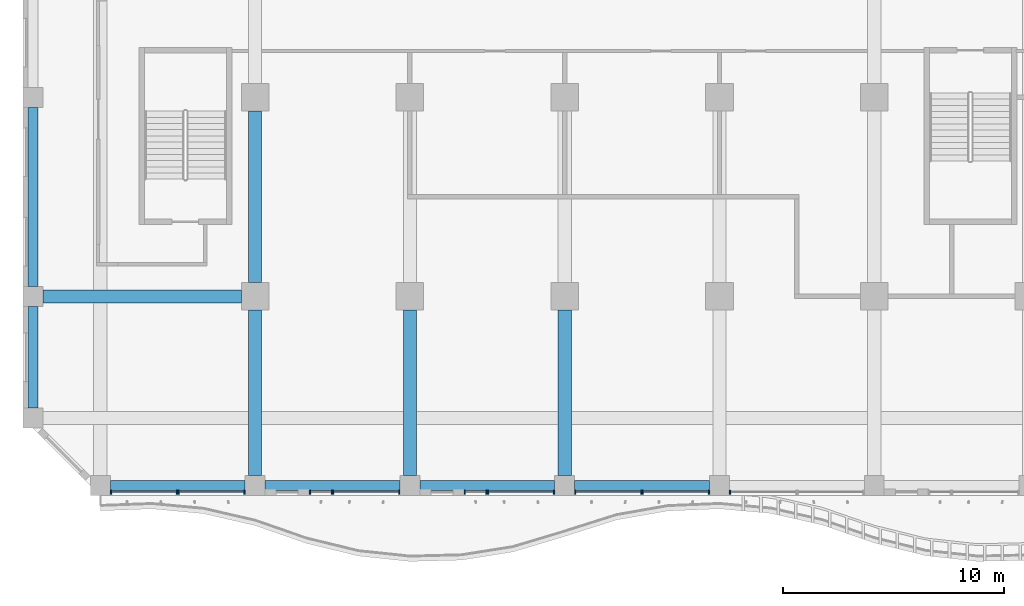
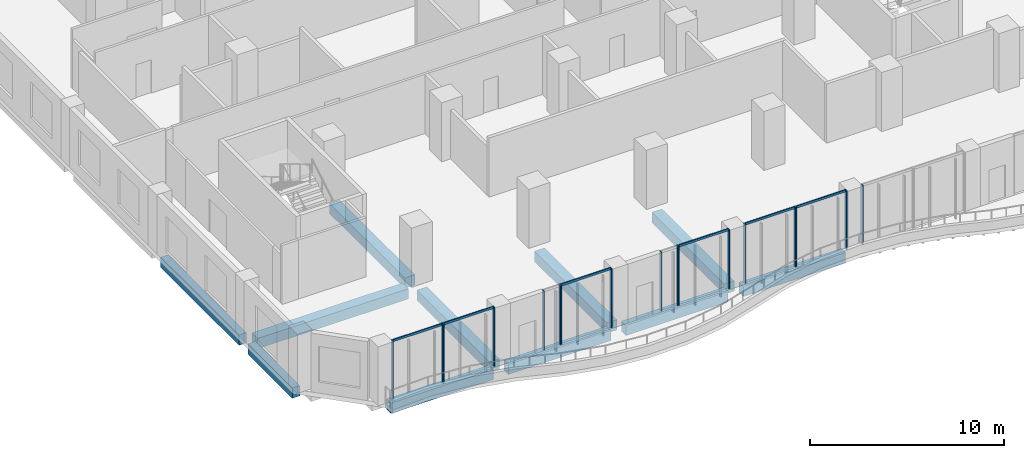
# One storey, part 2 of 25: 23 members, 11 beams, 9 elements without a shape of their own.
"""IFC4 building model written with IfcOpenShell, lengths in metres."""

from ifc_helpers import new_model, si_unit, direction, frame, origin, origin_2d, place, context, subcontext, project, spatial, rectangle, extrude, source, transform, mapped, material, material_profile, profile_set, type_object, element, aggregate, save


model = new_model("IFC4")

# Units and contexts
model_context = context("Model", 3, precision=1e-05, world=origin(), true_north=direction((0.0, 1.0)))
body_context = subcontext(model_context, "Body", "Model", "MODEL_VIEW")
ifc_project = project(units=[si_unit("LENGTHUNIT", "METRE"), si_unit("AREAUNIT", "SQUARE_METRE"), si_unit("VOLUMEUNIT", "CUBIC_METRE"), si_unit("PLANEANGLEUNIT", "RADIAN"), si_unit("MASSUNIT", "GRAM", prefix="KILO")], contexts=[model_context])

# Site, building, storey
site_placement = place(None, origin())
site = spatial("IfcSite", under=ifc_project, at=site_placement, CompositionType="ELEMENT")
building_placement = place(site_placement, origin())
building = spatial("IfcBuilding", under=site, at=building_placement, Name="Kilnfold Tower and Market Hall", CompositionType="ELEMENT")
storey_placement = place(building_placement, frame((0.0, 0.0, 67.199951171875)))
storey = spatial("IfcBuildingStorey", under=building, at=storey_placement, Name="L15", CompositionType="ELEMENT", Elevation=67.199951171875)

# Beams
ifc_material_1 = material(Name="Concrete C45", Category="concrete")
ifc_material_profile_1 = material_profile(ifc_material_1, rectangle(XDim=0.449951171875, YDim=0.64990234375, at=origin_2d()), Name="RC 450x650")
ifc_profile_set_1 = profile_set([ifc_material_profile_1], Name="Concrete C45")
beam_type_1 = type_object("IfcBeamType", Name="EDGE BEAM 450X650 C45", PredefinedType="BEAM", material=ifc_profile_set_1)
shared_shape_1 = source(origin(), body_context, "Body", "SweptSolid", [
    extrude(rectangle(XDim=0.449951171875, YDim=0.64990234375, at=origin_2d()), origin(), (0.0, 0.0, 1.0), 6.10009765625),
])
for number, where, z_axis, x_axis, name in (
    (1, (-19.050048828125, -27.550048828125, -0.60498046875), (1.0, 0.0, 0.0), (0.0, 1.0, 0.0), "Beam EB650-B2.60"),
    (2, (-12.050048828125, -27.550048828125, -0.60498046875), (1.0, 0.0, 0.0), (0.0, 1.0, 0.0), "Beam EB650-B2.61"),
    (3, (-5.050048828125, -27.550048828125, -0.60498046875), (1.0, 0.0, 0.0), (0.0, 1.0, 0.0), "Beam EB650-B2.62"),
    (4, (1.949951171875, -27.550048828125, -0.60498046875), (1.0, 0.0, 0.0), (0.0, 1.0, 0.0), "Beam EB650-B2.63"),
):
    element("IfcBeam", number, at=place(storey_placement, frame(where, z_axis=z_axis, x_axis=x_axis)), inside=storey, type_object=beam_type_1, Name=name, PredefinedType="BEAM", context=body_context, shape_type="MappedRepresentation", body=[
        mapped(shared_shape_1, transform((0.0, 0.0, 0.0))),
    ])
shared_shape_2 = source(origin(), body_context, "Body", "SweptSolid", [
    extrude(rectangle(XDim=0.449951171875, YDim=0.64990234375, at=origin_2d()), origin(), (0.0, 0.0, 1.0), 4.60009765625),
])
beam_1_placement = place(storey_placement, frame((-22.550048828125, -24.050048828125, -0.60498046875), z_axis=(0.0, 1.0, 0.0), x_axis=(-1.0, 0.0, 0.0)))
element("IfcBeam", 5, at=beam_1_placement, inside=storey, type_object=beam_type_1, Name="Beam EB650-B2.37", PredefinedType="BEAM", context=body_context, shape_type="MappedRepresentation", body=[
    mapped(shared_shape_2, transform((0.0, 0.0, 0.0))),
])
shared_shape_3 = source(origin(), body_context, "Body", "SweptSolid", [
    extrude(rectangle(XDim=0.449951171875, YDim=0.64990234375, at=origin_2d()), origin(), (0.0, 0.0, 1.0), 8.10009765625),
])
beam_2_placement = place(storey_placement, frame((-22.550048828125, -18.550048828125, -0.60498046875), z_axis=(0.0, 1.0, 0.0), x_axis=(-1.0, 0.0, 0.0)))
element("IfcBeam", 6, at=beam_2_placement, inside=storey, type_object=beam_type_1, Name="Beam EB650-B2.38", PredefinedType="BEAM", context=body_context, shape_type="MappedRepresentation", body=[
    mapped(shared_shape_3, transform((0.0, 0.0, 0.0))),
])
ifc_material_2 = material(Name="Concrete C45", Category="concrete")
ifc_material_profile_2 = material_profile(ifc_material_2, rectangle(XDim=0.60009765625, YDim=0.64990234375, at=origin_2d()), Name="RC 600x650")
ifc_profile_set_2 = profile_set([ifc_material_profile_2], Name="Concrete C45")
beam_type_2 = type_object("IfcBeamType", Name="BEAM 600X650 C45", PredefinedType="BEAM", material=ifc_profile_set_2)
shared_shape_4 = source(origin(), body_context, "Body", "SweptSolid", [
    extrude(rectangle(XDim=0.60009765625, YDim=0.64990234375, at=origin_2d()), origin(), (0.0, 0.0, 1.0), 8.97509765625),
])
beam_3_placement = place(storey_placement, frame((-22.10009765625, -19.0, -0.60498046875), z_axis=(1.0, 0.0, 0.0), x_axis=(0.0, 1.0, 0.0)))
element("IfcBeam", 7, at=beam_3_placement, inside=storey, type_object=beam_type_2, Name="Beam BB650-B2.68", PredefinedType="BEAM", context=body_context, shape_type="MappedRepresentation", body=[
    mapped(shared_shape_4, transform((0.0, 0.0, 0.0))),
])
shared_shape_5 = source(origin(), body_context, "Body", "SweptSolid", [
    extrude(rectangle(XDim=0.60009765625, YDim=0.64990234375, at=origin_2d()), origin(), (0.0, 0.0, 1.0), 7.47509765625),
])
for number, where, z_axis, x_axis, name in (
    (8, (-12.5, -27.10009765625, -0.60498046875), (0.0, 1.0, 0.0), (-1.0, 0.0, 0.0), "Beam BB650-B2.82"),
    (9, (-5.5, -27.10009765625, -0.60498046875), (0.0, 1.0, 0.0), (-1.0, 0.0, 0.0), "Beam BB650-B2.85"),
    (10, (1.5, -27.10009765625, -0.60498046875), (0.0, 1.0, 0.0), (-1.0, 0.0, 0.0), "Beam BB650-B2.87"),
):
    element("IfcBeam", number, at=place(storey_placement, frame(where, z_axis=z_axis, x_axis=x_axis)), inside=storey, type_object=beam_type_2, Name=name, PredefinedType="BEAM", context=body_context, shape_type="MappedRepresentation", body=[
        mapped(shared_shape_5, transform((0.0, 0.0, 0.0))),
    ])
shared_shape_6 = source(origin(), body_context, "Body", "SweptSolid", [
    extrude(rectangle(XDim=0.60009765625, YDim=0.64990234375, at=origin_2d()), origin(), (0.0, 0.0, 1.0), 7.75),
])
beam_4_placement = place(storey_placement, frame((-12.5, -18.375, -0.60498046875), z_axis=(0.0, 1.0, 0.0), x_axis=(-1.0, 0.0, 0.0)))
element("IfcBeam", 11, at=beam_4_placement, inside=storey, type_object=beam_type_2, Name="Beam BB650-B2.83", PredefinedType="BEAM", context=body_context, shape_type="MappedRepresentation", body=[
    mapped(shared_shape_6, transform((0.0, 0.0, 0.0))),
])

# Curtain wall, members
ifc_material_3 = material(Name="Aluminium and double glazing", Category="aluminium")
curtain_wall_type = type_object("IfcCurtainWallType", Name="CW OF1 VALLEY GLAZING", PredefinedType="NOTDEFINED", material=ifc_material_3)
curtain_wall_1_placement = place(storey_placement, origin())
curtain_wall_1 = element("IfcCurtainWall", 12, at=curtain_wall_1_placement, inside=storey, type_object=curtain_wall_type, Name="Curtain wall CW1 L15 S", PredefinedType="NOTDEFINED")
ifc_material_4 = material(Name="Aluminium", Category="aluminium")
ifc_material_profile_3 = material_profile(ifc_material_4, rectangle(XDim=0.06005859375, YDim=0.179931640625, at=origin_2d()), Name="MULLION 60x180")
ifc_profile_set_3 = profile_set([ifc_material_profile_3], Name="Aluminium")
member_type_1 = type_object("IfcMemberType", Name="MULLION 60X180", PredefinedType="MULLION", material=ifc_profile_set_3)
shared_shape_7 = source(origin(), body_context, "Body", "SweptSolid", [
    extrude(rectangle(XDim=0.06005859375, YDim=0.179931640625, at=origin_2d()), origin(), (0.0, 0.0, 1.0), 3.719970703125),
])
member_1_placement = place(storey_placement, frame((-19.02001953125, -27.85009765625, 0.0), z_axis=(0.0, 0.0, 1.0), x_axis=(1.0, 0.0, 0.0)))
member_1 = element("IfcMember", 13, at=member_1_placement, type_object=member_type_1, Name="CW1 mullion 1", PredefinedType="MULLION", context=body_context, shape_type="MappedRepresentation", body=[
    mapped(shared_shape_7, transform((0.0, 0.0, 0.0))),
])
member_2_placement = place(storey_placement, frame((-16.030029296875, -27.85009765625, 0.0), z_axis=(0.0, 0.0, 1.0), x_axis=(1.0, 0.0, 0.0)))
member_2 = element("IfcMember", 14, at=member_2_placement, type_object=member_type_1, Name="CW1 mullion 2", PredefinedType="MULLION", context=body_context, shape_type="MappedRepresentation", body=[
    mapped(shared_shape_7, transform((0.0, 0.0, 0.0))),
])

curtain_wall_2_placement = place(storey_placement, origin())
curtain_wall_2 = element("IfcCurtainWall", 15, at=curtain_wall_2_placement, inside=storey, type_object=curtain_wall_type, Name="Curtain wall CW1 L15 S", PredefinedType="NOTDEFINED")
member_3_placement = place(storey_placement, frame((-15.969970703125, -27.85009765625, 0.0), z_axis=(0.0, 0.0, 1.0), x_axis=(1.0, 0.0, 0.0)))
member_3 = element("IfcMember", 16, at=member_3_placement, type_object=member_type_1, Name="CW1 mullion 1", PredefinedType="MULLION", context=body_context, shape_type="MappedRepresentation", body=[
    mapped(shared_shape_7, transform((0.0, 0.0, 0.0))),
])
member_4_placement = place(storey_placement, frame((-12.97998046875, -27.85009765625, 0.0), z_axis=(0.0, 0.0, 1.0), x_axis=(1.0, 0.0, 0.0)))
member_4 = element("IfcMember", 17, at=member_4_placement, type_object=member_type_1, Name="CW1 mullion 2", PredefinedType="MULLION", context=body_context, shape_type="MappedRepresentation", body=[
    mapped(shared_shape_7, transform((0.0, 0.0, 0.0))),
])

curtain_wall_3_placement = place(storey_placement, origin())
curtain_wall_3 = element("IfcCurtainWall", 18, at=curtain_wall_3_placement, inside=storey, type_object=curtain_wall_type, Name="Curtain wall CW1 L15 S", PredefinedType="NOTDEFINED")
member_5_placement = place(storey_placement, frame((-10.02001953125, -27.85009765625, 0.0), z_axis=(0.0, 0.0, 1.0), x_axis=(1.0, 0.0, 0.0)))
member_5 = element("IfcMember", 19, at=member_5_placement, type_object=member_type_1, Name="CW1 mullion 1", PredefinedType="MULLION", context=body_context, shape_type="MappedRepresentation", body=[
    mapped(shared_shape_7, transform((0.0, 0.0, 0.0))),
])
member_6_placement = place(storey_placement, frame((-9.030029296875, -27.85009765625, 0.0), z_axis=(0.0, 0.0, 1.0), x_axis=(1.0, 0.0, 0.0)))
member_6 = element("IfcMember", 20, at=member_6_placement, type_object=member_type_1, Name="CW1 mullion 2", PredefinedType="MULLION", context=body_context, shape_type="MappedRepresentation", body=[
    mapped(shared_shape_7, transform((0.0, 0.0, 0.0))),
])
aggregate(curtain_wall_3, [member_5, member_6])

curtain_wall_4_placement = place(storey_placement, origin())
curtain_wall_4 = element("IfcCurtainWall", 21, at=curtain_wall_4_placement, inside=storey, type_object=curtain_wall_type, Name="Curtain wall CW1 L15 S", PredefinedType="NOTDEFINED")
member_7_placement = place(storey_placement, frame((-8.969970703125, -27.85009765625, 0.0), z_axis=(0.0, 0.0, 1.0), x_axis=(1.0, 0.0, 0.0)))
member_7 = element("IfcMember", 22, at=member_7_placement, type_object=member_type_1, Name="CW1 mullion 1", PredefinedType="MULLION", context=body_context, shape_type="MappedRepresentation", body=[
    mapped(shared_shape_7, transform((0.0, 0.0, 0.0))),
])
member_8_placement = place(storey_placement, frame((-5.97998046875, -27.85009765625, 0.0), z_axis=(0.0, 0.0, 1.0), x_axis=(1.0, 0.0, 0.0)))
member_8 = element("IfcMember", 23, at=member_8_placement, type_object=member_type_1, Name="CW1 mullion 2", PredefinedType="MULLION", context=body_context, shape_type="MappedRepresentation", body=[
    mapped(shared_shape_7, transform((0.0, 0.0, 0.0))),
])

curtain_wall_5_placement = place(storey_placement, origin())
curtain_wall_5 = element("IfcCurtainWall", 24, at=curtain_wall_5_placement, inside=storey, type_object=curtain_wall_type, Name="Curtain wall CW1 L15 S", PredefinedType="NOTDEFINED")
member_9_placement = place(storey_placement, frame((-3.02001953125, -27.85009765625, 0.0), z_axis=(0.0, 0.0, 1.0), x_axis=(1.0, 0.0, 0.0)))
member_9 = element("IfcMember", 25, at=member_9_placement, type_object=member_type_1, Name="CW1 mullion 1", PredefinedType="MULLION", context=body_context, shape_type="MappedRepresentation", body=[
    mapped(shared_shape_7, transform((0.0, 0.0, 0.0))),
])
member_10_placement = place(storey_placement, frame((-2.030029296875, -27.85009765625, 0.0), z_axis=(0.0, 0.0, 1.0), x_axis=(1.0, 0.0, 0.0)))
member_10 = element("IfcMember", 26, at=member_10_placement, type_object=member_type_1, Name="CW1 mullion 2", PredefinedType="MULLION", context=body_context, shape_type="MappedRepresentation", body=[
    mapped(shared_shape_7, transform((0.0, 0.0, 0.0))),
])
aggregate(curtain_wall_5, [member_9, member_10])

curtain_wall_6_placement = place(storey_placement, origin())
curtain_wall_6 = element("IfcCurtainWall", 27, at=curtain_wall_6_placement, inside=storey, type_object=curtain_wall_type, Name="Curtain wall CW1 L15 S", PredefinedType="NOTDEFINED")
member_11_placement = place(storey_placement, frame((-1.969970703125, -27.85009765625, 0.0), z_axis=(0.0, 0.0, 1.0), x_axis=(1.0, 0.0, 0.0)))
member_11 = element("IfcMember", 28, at=member_11_placement, type_object=member_type_1, Name="CW1 mullion 1", PredefinedType="MULLION", context=body_context, shape_type="MappedRepresentation", body=[
    mapped(shared_shape_7, transform((0.0, 0.0, 0.0))),
])
member_12_placement = place(storey_placement, frame((1.02001953125, -27.85009765625, 0.0), z_axis=(0.0, 0.0, 1.0), x_axis=(1.0, 0.0, 0.0)))
member_12 = element("IfcMember", 29, at=member_12_placement, type_object=member_type_1, Name="CW1 mullion 2", PredefinedType="MULLION", context=body_context, shape_type="MappedRepresentation", body=[
    mapped(shared_shape_7, transform((0.0, 0.0, 0.0))),
])

curtain_wall_7_placement = place(storey_placement, origin())
curtain_wall_7 = element("IfcCurtainWall", 30, at=curtain_wall_7_placement, inside=storey, type_object=curtain_wall_type, Name="Curtain wall CW1 L15 S", PredefinedType="NOTDEFINED")
member_13_placement = place(storey_placement, frame((1.97998046875, -27.85009765625, 0.0), z_axis=(0.0, 0.0, 1.0), x_axis=(1.0, 0.0, 0.0)))
member_13 = element("IfcMember", 31, at=member_13_placement, type_object=member_type_1, Name="CW1 mullion 1", PredefinedType="MULLION", context=body_context, shape_type="MappedRepresentation", body=[
    mapped(shared_shape_7, transform((0.0, 0.0, 0.0))),
])
member_14_placement = place(storey_placement, frame((4.969970703125, -27.85009765625, 0.0), z_axis=(0.0, 0.0, 1.0), x_axis=(1.0, 0.0, 0.0)))
member_14 = element("IfcMember", 32, at=member_14_placement, type_object=member_type_1, Name="CW1 mullion 2", PredefinedType="MULLION", context=body_context, shape_type="MappedRepresentation", body=[
    mapped(shared_shape_7, transform((0.0, 0.0, 0.0))),
])

curtain_wall_8_placement = place(storey_placement, origin())
curtain_wall_8 = element("IfcCurtainWall", 33, at=curtain_wall_8_placement, inside=storey, type_object=curtain_wall_type, Name="Curtain wall CW1 L15 S", PredefinedType="NOTDEFINED")
member_15_placement = place(storey_placement, frame((5.030029296875, -27.85009765625, 0.0), z_axis=(0.0, 0.0, 1.0), x_axis=(1.0, 0.0, 0.0)))
member_15 = element("IfcMember", 34, at=member_15_placement, type_object=member_type_1, Name="CW1 mullion 1", PredefinedType="MULLION", context=body_context, shape_type="MappedRepresentation", body=[
    mapped(shared_shape_7, transform((0.0, 0.0, 0.0))),
])
member_16_placement = place(storey_placement, frame((8.02001953125, -27.85009765625, 0.0), z_axis=(0.0, 0.0, 1.0), x_axis=(1.0, 0.0, 0.0)))
member_16 = element("IfcMember", 35, at=member_16_placement, type_object=member_type_1, Name="CW1 mullion 2", PredefinedType="MULLION", context=body_context, shape_type="MappedRepresentation", body=[
    mapped(shared_shape_7, transform((0.0, 0.0, 0.0))),
])

# Curtain wall, member
curtain_wall_9_placement = place(storey_placement, origin())
curtain_wall_9 = element("IfcCurtainWall", 36, at=curtain_wall_9_placement, inside=storey, type_object=curtain_wall_type, Name="Curtain wall CW1 L15 S", PredefinedType="NOTDEFINED")
member_17_placement = place(storey_placement, frame((8.97998046875, -27.85009765625, 0.0), z_axis=(0.0, 0.0, 1.0), x_axis=(1.0, 0.0, 0.0)))
member_17 = element("IfcMember", 37, at=member_17_placement, type_object=member_type_1, Name="CW1 mullion 1", PredefinedType="MULLION", context=body_context, shape_type="MappedRepresentation", body=[
    mapped(shared_shape_7, transform((0.0, 0.0, 0.0))),
])
aggregate(curtain_wall_9, [member_17])

# Member
ifc_material_5 = material(Name="Aluminium", Category="aluminium")
ifc_material_profile_4 = material_profile(ifc_material_5, rectangle(XDim=0.06005859375, YDim=0.139892578125, at=origin_2d()), Name="TRANSOM 60x140")
ifc_profile_set_4 = profile_set([ifc_material_profile_4], Name="Aluminium")
member_type_2 = type_object("IfcMemberType", Name="TRANSOM 60X140", PredefinedType="USERDEFINED", material=ifc_profile_set_4)
shared_shape_8 = source(origin(), body_context, "Body", "SweptSolid", [
    extrude(rectangle(XDim=0.06005859375, YDim=0.139892578125, at=origin_2d()), origin(), (0.0, 0.0, 1.0), 2.929931640625),
])
member_18_placement = place(storey_placement, frame((-18.989990234375, -27.85009765625, 3.68994140625), z_axis=(1.0, 0.0, 0.0), x_axis=(0.0, 1.0, 0.0)))
member_18 = element("IfcMember", 38, at=member_18_placement, type_object=member_type_2, Name="CW1 transom 1.2", ObjectType="TRANSOM", PredefinedType="USERDEFINED", context=body_context, shape_type="MappedRepresentation", body=[
    mapped(shared_shape_8, transform((0.0, 0.0, 0.0))),
])

aggregate(curtain_wall_1, [member_1, member_2, member_18])

member_19_placement = place(storey_placement, frame((-15.93994140625, -27.85009765625, 3.68994140625), z_axis=(1.0, 0.0, 0.0), x_axis=(0.0, 1.0, 0.0)))
member_19 = element("IfcMember", 39, at=member_19_placement, type_object=member_type_2, Name="CW1 transom 1.2", ObjectType="TRANSOM", PredefinedType="USERDEFINED", context=body_context, shape_type="MappedRepresentation", body=[
    mapped(shared_shape_8, transform((0.0, 0.0, 0.0))),
])

aggregate(curtain_wall_2, [member_3, member_4, member_19])

member_20_placement = place(storey_placement, frame((-8.93994140625, -27.85009765625, 3.68994140625), z_axis=(1.0, 0.0, 0.0), x_axis=(0.0, 1.0, 0.0)))
member_20 = element("IfcMember", 40, at=member_20_placement, type_object=member_type_2, Name="CW1 transom 1.2", ObjectType="TRANSOM", PredefinedType="USERDEFINED", context=body_context, shape_type="MappedRepresentation", body=[
    mapped(shared_shape_8, transform((0.0, 0.0, 0.0))),
])

aggregate(curtain_wall_4, [member_7, member_8, member_20])

member_21_placement = place(storey_placement, frame((-1.93994140625, -27.85009765625, 3.68994140625), z_axis=(1.0, 0.0, 0.0), x_axis=(0.0, 1.0, 0.0)))
member_21 = element("IfcMember", 41, at=member_21_placement, type_object=member_type_2, Name="CW1 transom 1.2", ObjectType="TRANSOM", PredefinedType="USERDEFINED", context=body_context, shape_type="MappedRepresentation", body=[
    mapped(shared_shape_8, transform((0.0, 0.0, 0.0))),
])

aggregate(curtain_wall_6, [member_11, member_12, member_21])

member_22_placement = place(storey_placement, frame((2.010009765625, -27.85009765625, 3.68994140625), z_axis=(1.0, 0.0, 0.0), x_axis=(0.0, 1.0, 0.0)))
member_22 = element("IfcMember", 42, at=member_22_placement, type_object=member_type_2, Name="CW1 transom 1.2", ObjectType="TRANSOM", PredefinedType="USERDEFINED", context=body_context, shape_type="MappedRepresentation", body=[
    mapped(shared_shape_8, transform((0.0, 0.0, 0.0))),
])

aggregate(curtain_wall_7, [member_13, member_14, member_22])

member_23_placement = place(storey_placement, frame((5.06005859375, -27.85009765625, 3.68994140625), z_axis=(1.0, 0.0, 0.0), x_axis=(0.0, 1.0, 0.0)))
member_23 = element("IfcMember", 43, at=member_23_placement, type_object=member_type_2, Name="CW1 transom 1.2", ObjectType="TRANSOM", PredefinedType="USERDEFINED", context=body_context, shape_type="MappedRepresentation", body=[
    mapped(shared_shape_8, transform((0.0, 0.0, 0.0))),
])

aggregate(curtain_wall_8, [member_15, member_16, member_23])

save(model, "model.ifc")
